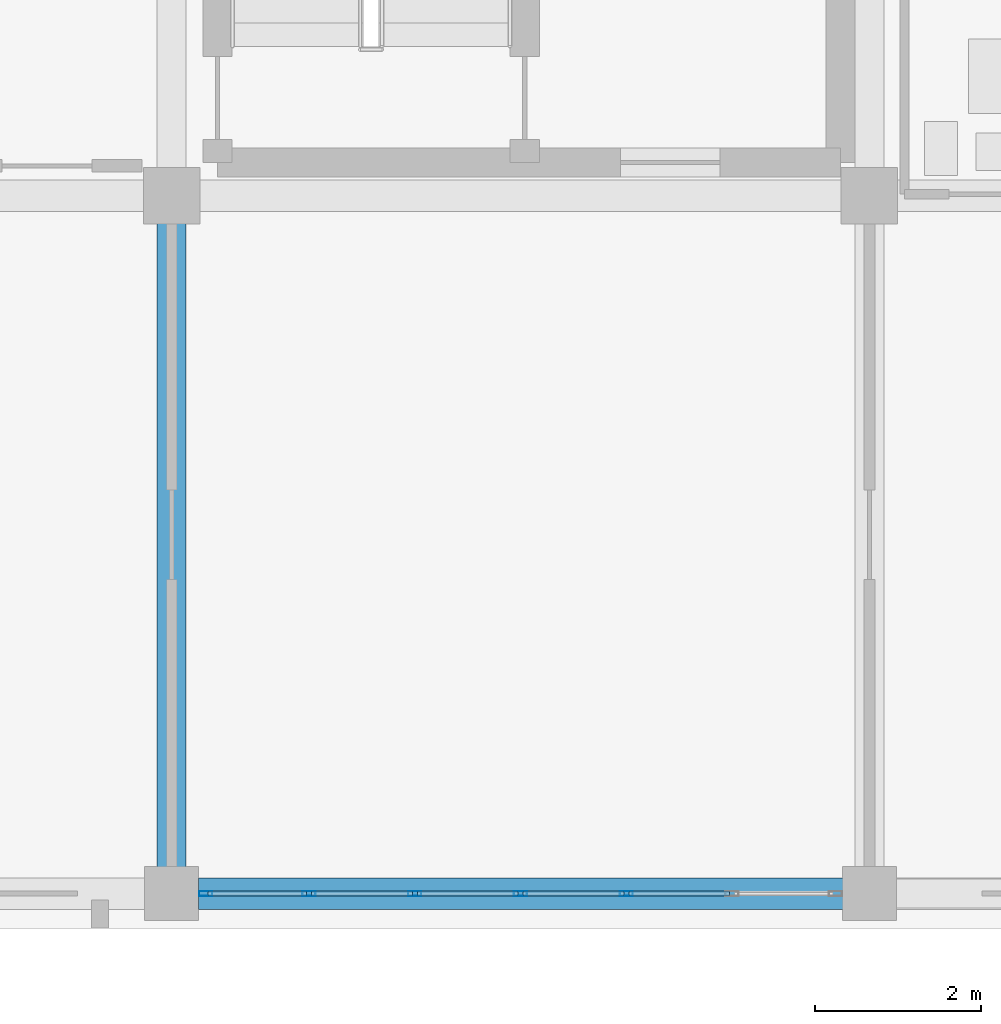
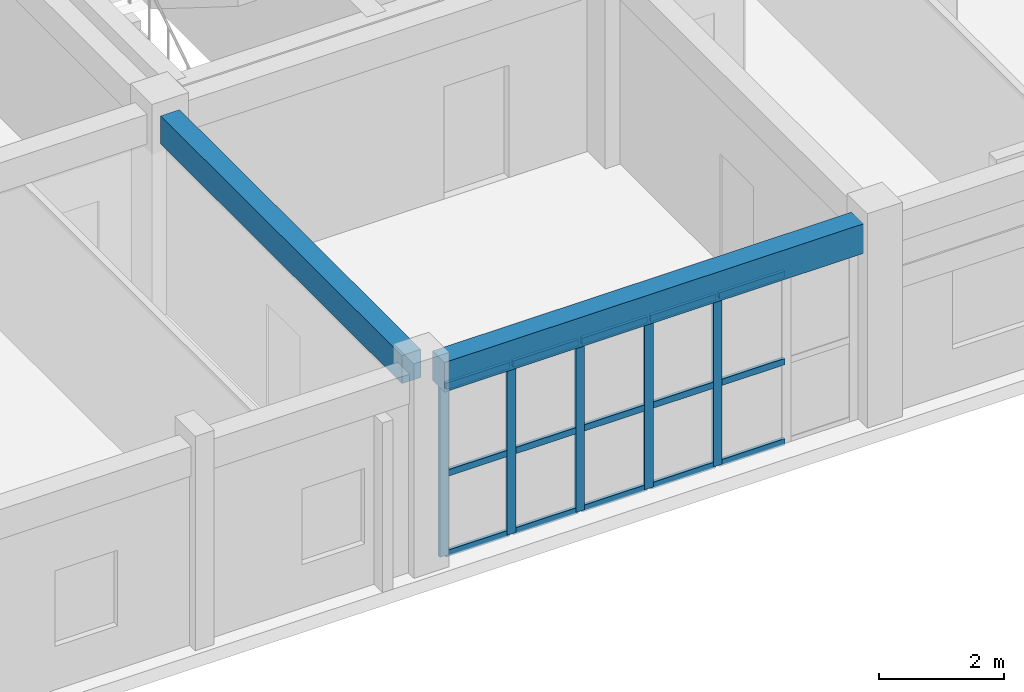
# One storey, part 10 of 90: 20 members, 2 beams, 1 element without a shape of its own.
"""IFC4 building model written with IfcOpenShell, lengths in metres."""

import ifcopenshell
import ifcopenshell.guid

model = None  # the IFC model being written
_history = None  # IfcOwnerHistory: only IFC2X3 demands one
_inside = {}  # id of a spatial element -> (the spatial element, [elements in it])
_under = {}  # id of a project, library or spatial element -> (it, [spatial elements below it])
_declared = {}  # id of a project -> (the project, [libraries it declares])
_typed = {}  # id of a type object -> (the type object, [elements of that type])
_made_of = {}  # id of a material, layer set ... -> (it, [elements and type objects made of it])


def new_model(schema):
    """Start an empty IFC model of exactly this schema.

    Asked for "IFC4X3", IfcOpenShell would pick the latest addendum, in which some entities
    have other attributes; the version numbers below select the first issue.
    IFC2X3 requires an IfcOwnerHistory on every rooted entity: one is made here for all.
    """
    global model, _history
    if schema == "IFC4X3":
        model = ifcopenshell.file(schema_version=(4, 3, 0, 0))
    else:
        model = ifcopenshell.file(schema=schema)
    _inside.clear()
    _under.clear()
    _declared.clear()
    _typed.clear()
    _made_of.clear()
    _history = None
    if model.schema == "IFC2X3":
        org = make("IfcOrganization", Name="unknown")
        user = make(
            "IfcPersonAndOrganization",
            ThePerson=make("IfcPerson", FamilyName="unknown"),
            TheOrganization=org,
        )
        app = make(
            "IfcApplication",
            ApplicationDeveloper=org,
            Version="unknown",
            ApplicationFullName="unknown",
            ApplicationIdentifier="unknown",
        )
        _history = make(
            "IfcOwnerHistory",
            OwningUser=user,
            OwningApplication=app,
            ChangeAction="ADDED",
            CreationDate=0,
        )
    return model


def make(cls, **values):
    """One entity of the class cls with the attributes given. An attribute that is None is left unset."""
    return model.create_entity(
        cls, **{name: value for name, value in values.items() if value is not None}
    )


def rooted(cls, **values):
    """An entity with a GlobalId (a new one), such as an element, a storey or a relation."""
    return make(cls, GlobalId=ifcopenshell.guid.new(), OwnerHistory=_history, **values)


def si_unit(unit_type, name, prefix=None):
    """IfcSIUnit, for example si_unit("LENGTHUNIT", "METRE", prefix="MILLI")."""
    return make("IfcSIUnit", UnitType=unit_type, Prefix=prefix, Name=name)


def assignment(units):
    """IfcUnitAssignment: the units of a project."""
    return None if units is None else make("IfcUnitAssignment", Units=units)


def point(xyz):
    """IfcCartesianPoint."""
    return None if xyz is None else make("IfcCartesianPoint", Coordinates=xyz)


def direction(xyz):
    """IfcDirection."""
    return None if xyz is None else make("IfcDirection", DirectionRatios=xyz)


def frame(location, z_axis=None, x_axis=None):
    """IfcAxis2Placement3D, a coordinate frame: its origin and axes. An axis left out is left unset."""
    return make(
        "IfcAxis2Placement3D",
        Location=point(location),
        Axis=direction(z_axis),
        RefDirection=direction(x_axis),
    )


def frame_2d(location, x_axis=None):
    """IfcAxis2Placement2D, a coordinate frame in the plane: its origin and x axis."""
    return make(
        "IfcAxis2Placement2D", Location=point(location), RefDirection=direction(x_axis)
    )


def origin():
    """The frame at (0, 0, 0) with its axes left unset."""
    return frame((0.0, 0.0, 0.0))


def origin_2d():
    """The frame at (0, 0) in the plane with its x axis left unset."""
    return frame_2d((0.0, 0.0))


def place(relative_to, where):
    """IfcLocalPlacement: puts the frame where relative to a parent placement (None: the world)."""
    return make(
        "IfcLocalPlacement", PlacementRelTo=relative_to, RelativePlacement=where
    )


def context(
    kind, dimensions, precision=None, world=None, true_north=None, identifier=None
):
    """IfcGeometricRepresentationContext, for example the 3D "Model" context."""
    return make(
        "IfcGeometricRepresentationContext",
        ContextIdentifier=identifier,
        ContextType=kind,
        CoordinateSpaceDimension=dimensions,
        Precision=precision,
        WorldCoordinateSystem=world,
        TrueNorth=true_north,
    )


def subcontext(parent, identifier, kind, view, scale=None):
    """IfcGeometricRepresentationSubContext, for example "Body" below "Model"."""
    return make(
        "IfcGeometricRepresentationSubContext",
        ContextIdentifier=identifier,
        ContextType=kind,
        ParentContext=parent,
        TargetScale=scale,
        TargetView=view,
    )


def project(units=None, contexts=None):
    """IfcProject with its units and contexts."""
    return rooted(
        "IfcProject",
        Name="project",
        RepresentationContexts=contexts,
        UnitsInContext=assignment(units),
    )


def spatial(cls, under=None, at=None, **own):
    """A site, building, storey or space (cls), placed at a placement, below another one or the project."""
    s = rooted(cls, ObjectPlacement=at, **own)
    if under is not None:
        _under.setdefault(under.id(), (under, []))[1].append(s)
    return s


def profile(cls, at=None, kind="AREA", **sizes):
    """A parametric profile (cls). Its sizes go by their IFC names, for example OverallWidth=200.0."""
    return make(cls, ProfileType=kind, Position=at, **sizes)


def rectangle(**sizes):
    """IfcRectangleProfileDef."""
    return profile("IfcRectangleProfileDef", **sizes)


def hollow_rectangle(**sizes):
    """IfcRectangleHollowProfileDef."""
    return profile("IfcRectangleHollowProfileDef", **sizes)


def extrude(swept, where, along, depth):
    """IfcExtrudedAreaSolid: the profile swept, set in the frame where, extruded along a direction by depth."""
    return make(
        "IfcExtrudedAreaSolid",
        SweptArea=swept,
        Position=where,
        ExtrudedDirection=direction(along),
        Depth=depth,
    )


def shape(context_of_items, identifier, shape_type, items):
    """IfcShapeRepresentation: the items that make up one representation, for example the "Body"."""
    return make(
        "IfcShapeRepresentation",
        ContextOfItems=context_of_items,
        RepresentationIdentifier=identifier,
        RepresentationType=shape_type,
        Items=items,
    )


def material(Name=None, Category=None):
    """IfcMaterial."""
    return make("IfcMaterial", Name=Name, Category=Category)


def layer(
    of_material, thickness, ventilated=None, Name=None, Category=None, Priority=None
):
    """IfcMaterialLayer: one layer of a wall or slab, of a material (None: an air gap)."""
    return make(
        "IfcMaterialLayer",
        Material=of_material,
        LayerThickness=thickness,
        IsVentilated=ventilated,
        Name=Name,
        Category=Category,
        Priority=Priority,
    )


def layer_set(layers, Name=None):
    """IfcMaterialLayerSet."""
    return make("IfcMaterialLayerSet", MaterialLayers=layers, LayerSetName=Name)


def material_profile(
    of_material, cross_section, Name=None, Category=None, Priority=None
):
    """IfcMaterialProfile: a cross section and its material."""
    return make(
        "IfcMaterialProfile",
        Name=Name,
        Material=of_material,
        Profile=cross_section,
        Priority=Priority,
        Category=Category,
    )


def profile_set(profiles, Name=None, composite=None):
    """IfcMaterialProfileSet."""
    return make(
        "IfcMaterialProfileSet",
        Name=Name,
        MaterialProfiles=profiles,
        CompositeProfile=composite,
    )


def made_of(thing, what):
    """Note that an element or type object is made of a material, layer set ...; save() writes the relation."""
    if what is not None:
        _made_of.setdefault(what.id(), (what, []))[1].append(thing)
    return thing


def type_object(cls, material=None, **own):
    """A type object (cls), such as IfcWallType, which elements share."""
    return made_of(rooted(cls, **own), material)


def element(
    cls,
    number,
    at=None,
    inside=None,
    cuts=None,
    type_object=None,
    material=None,
    context=None,
    identifier="Body",
    shape_type=None,
    held_by="IfcProductDefinitionShape",
    body=None,
    shapes=None,
    **own,
):
    """One element of the class cls, such as IfcWall. Its Tag is "e" and its number.

    at: its placement. inside: the storey or other place that contains it. cuts: it is an
    opening in that element (IfcRelVoidsElement). A single representation is given by context,
    identifier, shape_type and body (its items); several are given by shapes. held_by: the class
    of the entity that holds the representations. save() writes the other relations.
    """
    e = rooted(cls, Tag="e%d" % number, ObjectPlacement=at, **own)
    if body is not None:
        shapes = [shape(context, identifier, shape_type, body)]
    if shapes is not None:
        e.Representation = make(held_by, Representations=shapes)
    if inside is not None:
        _inside.setdefault(inside.id(), (inside, []))[1].append(e)
    if cuts is not None:
        rooted(
            "IfcRelVoidsElement", RelatingBuildingElement=cuts, RelatedOpeningElement=e
        )
    if type_object is not None:
        _typed.setdefault(type_object.id(), (type_object, []))[1].append(e)
    return made_of(e, material)


def aggregate(whole, parts):
    """IfcRelAggregates: a whole, such as a stair, and the parts it consists of."""
    return rooted("IfcRelAggregates", RelatingObject=whole, RelatedObjects=parts)


def save(model, path):
    """Write the relations noted so far, then the file.

    IfcRelAggregates (storeys below a building ...), IfcRelContainedInSpatialStructure (elements
    in a storey), IfcRelDefinesByType, IfcRelAssociatesMaterial and IfcRelDeclares: one each for
    every whole, place, type object, material and project.
    """
    for whole, parts in _under.values():
        aggregate(whole, parts)
    for where, things in _inside.values():
        rooted(
            "IfcRelContainedInSpatialStructure",
            RelatedElements=things,
            RelatingStructure=where,
        )
    for kind, things in _typed.values():
        rooted("IfcRelDefinesByType", RelatedObjects=things, RelatingType=kind)
    for what, things in _made_of.values():
        rooted("IfcRelAssociatesMaterial", RelatedObjects=things, RelatingMaterial=what)
    for by, libraries in _declared.values():
        rooted("IfcRelDeclares", RelatingContext=by, RelatedDefinitions=libraries)
    model.write(path)


model = new_model("IFC4")

# Units and contexts
model_context = context("Model", 3, precision=1e-05, world=origin(), true_north=direction((0.0, 1.0)))
body_context = subcontext(model_context, "Body", "Model", "MODEL_VIEW")
ifc_project = project(units=[si_unit("LENGTHUNIT", "METRE"), si_unit("AREAUNIT", "SQUARE_METRE"), si_unit("VOLUMEUNIT", "CUBIC_METRE"), si_unit("PLANEANGLEUNIT", "RADIAN"), si_unit("MASSUNIT", "GRAM", prefix="KILO")], contexts=[model_context])

# Site, building, storey
site_placement = place(None, origin())
site = spatial("IfcSite", under=ifc_project, at=site_placement, CompositionType="ELEMENT")
building_placement = place(site_placement, origin())
building = spatial("IfcBuilding", under=site, at=building_placement, Name="Trelvath General Hospital", CompositionType="ELEMENT")
storey_placement = place(building_placement, frame((0.0, 0.0, 20.39990234375)))
storey = spatial("IfcBuildingStorey", under=building, at=storey_placement, Name="L05", CompositionType="ELEMENT", Elevation=20.39990234375)

# Beams
ifc_material_1 = material(Name="Concrete C35/45", Category="concrete")
ifc_material_profile_1 = material_profile(ifc_material_1, rectangle(XDim=0.35009765625, YDim=0.550048828125, at=origin_2d()), Name="RCB350x550")
ifc_profile_set_1 = profile_set([ifc_material_profile_1], Name="Concrete C35/45")
beam_type_1 = type_object("IfcBeamType", Name="Beam RC350x550", PredefinedType="BEAM", material=ifc_profile_set_1)
beam_1_placement = place(storey_placement, frame((42.0, 0.320068359375, 3.64501953125), z_axis=(0.0, 1.0, 0.0), x_axis=(-1.0, 0.0, 0.0)))
element("IfcBeam", 1, at=beam_1_placement, inside=storey, type_object=beam_type_1, Name="Grid Beam BY-505A", PredefinedType="BEAM", context=body_context, shape_type="SweptSolid", body=[
    extrude(rectangle(XDim=0.35009765625, YDim=0.550048828125, at=origin_2d()), origin(), (0.0, 0.0, 1.0), 7.744873046875),
])
ifc_material_2 = material(Name="Concrete C35/45", Category="concrete")
ifc_material_profile_2 = material_profile(ifc_material_2, rectangle(XDim=0.3798828125, YDim=0.580078125, at=origin_2d()), Name="RCB380x580")
ifc_profile_set_2 = profile_set([ifc_material_profile_2], Name="Concrete C35/45")
beam_type_2 = type_object("IfcBeamType", Name="Beam RC380x580", PredefinedType="BEAM", material=ifc_profile_set_2)
beam_2_placement = place(storey_placement, frame((42.320068359375, 0.0, 3.630126953125), z_axis=(1.0, 0.0, 0.0), x_axis=(0.0, 1.0, 0.0)))
element("IfcBeam", 2, at=beam_2_placement, inside=storey, type_object=beam_type_2, Name="Grid Beam BX-505A", PredefinedType="BEAM", context=body_context, shape_type="SweptSolid", body=[
    extrude(rectangle(XDim=0.3798828125, YDim=0.580078125, at=origin_2d()), origin(), (0.0, 0.0, 1.0), 7.760009765625),
])

# Curtain wall, members
ifc_material_3 = material(Name="Anodised aluminium and low-E glass", Category="aluminium")
ifc_layer = layer(ifc_material_3, 0.14990234375)
ifc_layer_set = layer_set([ifc_layer], Name="Anodised aluminium and low-E glass")
curtain_wall_type = type_object("IfcCurtainWallType", Name="CW Facade 764 334 15", PredefinedType="USERDEFINED", material=ifc_layer_set)
curtain_wall_placement = place(storey_placement, origin())
curtain_wall = element("IfcCurtainWall", 3, at=curtain_wall_placement, inside=storey, type_object=curtain_wall_type, Name="Facade Curtain Wall CW-068", ObjectType="Unitised Glazed Curtain Wall", PredefinedType="USERDEFINED")
ifc_material_4 = material(Name="Anodised aluminium", Category="aluminium")
ifc_material_profile_3 = material_profile(ifc_material_4, hollow_rectangle(XDim=0.06005859375, YDim=0.159912109375, WallThickness=0.00390625, at=origin_2d()), Name="RHS60x160x4")
ifc_profile_set_3 = profile_set([ifc_material_profile_3], Name="Anodised aluminium")
member_type_1 = type_object("IfcMemberType", Name="CurtainMullion 60x160", PredefinedType="MULLION", material=ifc_profile_set_3)
member_1_placement = place(storey_placement, frame((47.473388671875, 0.0, 0.0), z_axis=(0.0, 0.0, 1.0), x_axis=(0.0, -1.0, 0.0)))
member_1 = element("IfcMember", 4, at=member_1_placement, type_object=member_type_1, Name="CW-068 mullion 3", PredefinedType="MULLION", context=body_context, shape_type="SweptSolid", body=[
    extrude(hollow_rectangle(XDim=0.06005859375, YDim=0.159912109375, WallThickness=0.00390625, at=origin_2d()), origin(), (0.0, 0.0, 1.0), 3.340087890625),
])
member_2_placement = place(storey_placement, frame((46.199951171875, 0.0, 0.0), z_axis=(0.0, 0.0, 1.0), x_axis=(0.0, -1.0, 0.0)))
member_2 = element("IfcMember", 5, at=member_2_placement, type_object=member_type_1, Name="CW-068 mullion 4", PredefinedType="MULLION", context=body_context, shape_type="SweptSolid", body=[
    extrude(hollow_rectangle(XDim=0.06005859375, YDim=0.159912109375, WallThickness=0.00390625, at=origin_2d()), origin(), (0.0, 0.0, 1.0), 3.340087890625),
])
member_3_placement = place(storey_placement, frame((44.9267578125, 0.0, 0.0), z_axis=(0.0, 0.0, 1.0), x_axis=(0.0, -1.0, 0.0)))
member_3 = element("IfcMember", 6, at=member_3_placement, type_object=member_type_1, Name="CW-068 mullion 5", PredefinedType="MULLION", context=body_context, shape_type="SweptSolid", body=[
    extrude(hollow_rectangle(XDim=0.06005859375, YDim=0.159912109375, WallThickness=0.00390625, at=origin_2d()), origin(), (0.0, 0.0, 1.0), 3.340087890625),
])
member_4_placement = place(storey_placement, frame((43.6533203125, 0.0, 0.0), z_axis=(0.0, 0.0, 1.0), x_axis=(0.0, -1.0, 0.0)))
member_4 = element("IfcMember", 7, at=member_4_placement, type_object=member_type_1, Name="CW-068 mullion 6", PredefinedType="MULLION", context=body_context, shape_type="SweptSolid", body=[
    extrude(hollow_rectangle(XDim=0.06005859375, YDim=0.159912109375, WallThickness=0.00390625, at=origin_2d()), origin(), (0.0, 0.0, 1.0), 3.340087890625),
])
member_5_placement = place(storey_placement, frame((42.409912109375, 0.0, 0.0), z_axis=(0.0, 0.0, 1.0), x_axis=(0.0, -1.0, 0.0)))
member_5 = element("IfcMember", 8, at=member_5_placement, type_object=member_type_1, Name="CW-068 mullion 7", PredefinedType="MULLION", context=body_context, shape_type="SweptSolid", body=[
    extrude(hollow_rectangle(XDim=0.06005859375, YDim=0.159912109375, WallThickness=0.00390625, at=origin_2d()), origin(), (0.0, 0.0, 1.0), 3.340087890625),
])
ifc_material_5 = material(Name="Anodised aluminium", Category="aluminium")
ifc_material_profile_4 = material_profile(ifc_material_5, hollow_rectangle(XDim=0.06005859375, YDim=0.125, WallThickness=0.00390625, at=origin_2d()), Name="RHS60x125x4")
ifc_profile_set_4 = profile_set([ifc_material_profile_4], Name="Anodised aluminium")
member_type_2 = type_object("IfcMemberType", Name="CurtainTransom 60x125", PredefinedType="USERDEFINED", material=ifc_profile_set_4)
member_6_placement = place(storey_placement, frame((48.716552734375, 0.0, 0.030029296875), z_axis=(-1.0, 0.0, 0.0), x_axis=(0.0, -1.0, 0.0)))
member_6 = element("IfcMember", 9, at=member_6_placement, type_object=member_type_2, Name="CW-068 transom 2.1", ObjectType="TRANSOM", PredefinedType="USERDEFINED", context=body_context, shape_type="SweptSolid", body=[
    extrude(hollow_rectangle(XDim=0.06005859375, YDim=0.125, WallThickness=0.00390625, at=origin_2d()), origin(), (0.0, 0.0, 1.0), 1.213134765625),
])
member_7_placement = place(storey_placement, frame((48.716552734375, 0.0, 1.60302734375), z_axis=(-1.0, 0.0, 0.0), x_axis=(0.0, -1.0, 0.0)))
member_7 = element("IfcMember", 10, at=member_7_placement, type_object=member_type_2, Name="CW-068 transom 2.2", ObjectType="TRANSOM", PredefinedType="USERDEFINED", context=body_context, shape_type="SweptSolid", body=[
    extrude(hollow_rectangle(XDim=0.06005859375, YDim=0.125, WallThickness=0.00390625, at=origin_2d()), origin(), (0.0, 0.0, 1.0), 1.213134765625),
])
member_8_placement = place(storey_placement, frame((48.716552734375, 0.0, 3.31005859375), z_axis=(-1.0, 0.0, 0.0), x_axis=(0.0, -1.0, 0.0)))
member_8 = element("IfcMember", 11, at=member_8_placement, type_object=member_type_2, Name="CW-068 transom 2.3", ObjectType="TRANSOM", PredefinedType="USERDEFINED", context=body_context, shape_type="SweptSolid", body=[
    extrude(hollow_rectangle(XDim=0.06005859375, YDim=0.125, WallThickness=0.00390625, at=origin_2d()), origin(), (0.0, 0.0, 1.0), 1.213134765625),
])
member_9_placement = place(storey_placement, frame((47.443359375, 0.0, 0.030029296875), z_axis=(-1.0, 0.0, 0.0), x_axis=(0.0, -1.0, 0.0)))
member_9 = element("IfcMember", 12, at=member_9_placement, type_object=member_type_2, Name="CW-068 transom 3.1", ObjectType="TRANSOM", PredefinedType="USERDEFINED", context=body_context, shape_type="SweptSolid", body=[
    extrude(hollow_rectangle(XDim=0.06005859375, YDim=0.125, WallThickness=0.00390625, at=origin_2d()), origin(), (0.0, 0.0, 1.0), 1.21337890625),
])
member_10_placement = place(storey_placement, frame((47.443359375, 0.0, 1.60302734375), z_axis=(-1.0, 0.0, 0.0), x_axis=(0.0, -1.0, 0.0)))
member_10 = element("IfcMember", 13, at=member_10_placement, type_object=member_type_2, Name="CW-068 transom 3.2", ObjectType="TRANSOM", PredefinedType="USERDEFINED", context=body_context, shape_type="SweptSolid", body=[
    extrude(hollow_rectangle(XDim=0.06005859375, YDim=0.125, WallThickness=0.00390625, at=origin_2d()), origin(), (0.0, 0.0, 1.0), 1.21337890625),
])
member_11_placement = place(storey_placement, frame((47.443359375, 0.0, 3.31005859375), z_axis=(-1.0, 0.0, 0.0), x_axis=(0.0, -1.0, 0.0)))
member_11 = element("IfcMember", 14, at=member_11_placement, type_object=member_type_2, Name="CW-068 transom 3.3", ObjectType="TRANSOM", PredefinedType="USERDEFINED", context=body_context, shape_type="SweptSolid", body=[
    extrude(hollow_rectangle(XDim=0.06005859375, YDim=0.125, WallThickness=0.00390625, at=origin_2d()), origin(), (0.0, 0.0, 1.0), 1.21337890625),
])
member_12_placement = place(storey_placement, frame((46.169921875, 0.0, 0.030029296875), z_axis=(-1.0, 0.0, 0.0), x_axis=(0.0, -1.0, 0.0)))
member_12 = element("IfcMember", 15, at=member_12_placement, type_object=member_type_2, Name="CW-068 transom 4.1", ObjectType="TRANSOM", PredefinedType="USERDEFINED", context=body_context, shape_type="SweptSolid", body=[
    extrude(hollow_rectangle(XDim=0.06005859375, YDim=0.125, WallThickness=0.00390625, at=origin_2d()), origin(), (0.0, 0.0, 1.0), 1.213134765625),
])
member_13_placement = place(storey_placement, frame((46.169921875, 0.0, 1.60302734375), z_axis=(-1.0, 0.0, 0.0), x_axis=(0.0, -1.0, 0.0)))
member_13 = element("IfcMember", 16, at=member_13_placement, type_object=member_type_2, Name="CW-068 transom 4.2", ObjectType="TRANSOM", PredefinedType="USERDEFINED", context=body_context, shape_type="SweptSolid", body=[
    extrude(hollow_rectangle(XDim=0.06005859375, YDim=0.125, WallThickness=0.00390625, at=origin_2d()), origin(), (0.0, 0.0, 1.0), 1.213134765625),
])
member_14_placement = place(storey_placement, frame((46.169921875, 0.0, 3.31005859375), z_axis=(-1.0, 0.0, 0.0), x_axis=(0.0, -1.0, 0.0)))
member_14 = element("IfcMember", 17, at=member_14_placement, type_object=member_type_2, Name="CW-068 transom 4.3", ObjectType="TRANSOM", PredefinedType="USERDEFINED", context=body_context, shape_type="SweptSolid", body=[
    extrude(hollow_rectangle(XDim=0.06005859375, YDim=0.125, WallThickness=0.00390625, at=origin_2d()), origin(), (0.0, 0.0, 1.0), 1.213134765625),
])
member_15_placement = place(storey_placement, frame((44.896728515625, 0.0, 0.030029296875), z_axis=(-1.0, 0.0, 0.0), x_axis=(0.0, -1.0, 0.0)))
member_15 = element("IfcMember", 18, at=member_15_placement, type_object=member_type_2, Name="CW-068 transom 5.1", ObjectType="TRANSOM", PredefinedType="USERDEFINED", context=body_context, shape_type="SweptSolid", body=[
    extrude(hollow_rectangle(XDim=0.06005859375, YDim=0.125, WallThickness=0.00390625, at=origin_2d()), origin(), (0.0, 0.0, 1.0), 1.21337890625),
])
member_16_placement = place(storey_placement, frame((44.896728515625, 0.0, 1.60302734375), z_axis=(-1.0, 0.0, 0.0), x_axis=(0.0, -1.0, 0.0)))
member_16 = element("IfcMember", 19, at=member_16_placement, type_object=member_type_2, Name="CW-068 transom 5.2", ObjectType="TRANSOM", PredefinedType="USERDEFINED", context=body_context, shape_type="SweptSolid", body=[
    extrude(hollow_rectangle(XDim=0.06005859375, YDim=0.125, WallThickness=0.00390625, at=origin_2d()), origin(), (0.0, 0.0, 1.0), 1.21337890625),
])
member_17_placement = place(storey_placement, frame((44.896728515625, 0.0, 3.31005859375), z_axis=(-1.0, 0.0, 0.0), x_axis=(0.0, -1.0, 0.0)))
member_17 = element("IfcMember", 20, at=member_17_placement, type_object=member_type_2, Name="CW-068 transom 5.3", ObjectType="TRANSOM", PredefinedType="USERDEFINED", context=body_context, shape_type="SweptSolid", body=[
    extrude(hollow_rectangle(XDim=0.06005859375, YDim=0.125, WallThickness=0.00390625, at=origin_2d()), origin(), (0.0, 0.0, 1.0), 1.21337890625),
])
member_18_placement = place(storey_placement, frame((43.623291015625, 0.0, 0.030029296875), z_axis=(-1.0, 0.0, 0.0), x_axis=(0.0, -1.0, 0.0)))
member_18 = element("IfcMember", 21, at=member_18_placement, type_object=member_type_2, Name="CW-068 transom 6.1", ObjectType="TRANSOM", PredefinedType="USERDEFINED", context=body_context, shape_type="SweptSolid", body=[
    extrude(hollow_rectangle(XDim=0.06005859375, YDim=0.125, WallThickness=0.00390625, at=origin_2d()), origin(), (0.0, 0.0, 1.0), 1.183349609375),
])
member_19_placement = place(storey_placement, frame((43.623291015625, 0.0, 1.60302734375), z_axis=(-1.0, 0.0, 0.0), x_axis=(0.0, -1.0, 0.0)))
member_19 = element("IfcMember", 22, at=member_19_placement, type_object=member_type_2, Name="CW-068 transom 6.2", ObjectType="TRANSOM", PredefinedType="USERDEFINED", context=body_context, shape_type="SweptSolid", body=[
    extrude(hollow_rectangle(XDim=0.06005859375, YDim=0.125, WallThickness=0.00390625, at=origin_2d()), origin(), (0.0, 0.0, 1.0), 1.183349609375),
])
member_20_placement = place(storey_placement, frame((43.623291015625, 0.0, 3.31005859375), z_axis=(-1.0, 0.0, 0.0), x_axis=(0.0, -1.0, 0.0)))
member_20 = element("IfcMember", 23, at=member_20_placement, type_object=member_type_2, Name="CW-068 transom 6.3", ObjectType="TRANSOM", PredefinedType="USERDEFINED", context=body_context, shape_type="SweptSolid", body=[
    extrude(hollow_rectangle(XDim=0.06005859375, YDim=0.125, WallThickness=0.00390625, at=origin_2d()), origin(), (0.0, 0.0, 1.0), 1.183349609375),
])
aggregate(curtain_wall, [member_1, member_2, member_3, member_4, member_5, member_6, member_7, member_8, member_9, member_10, member_11, member_12, member_13, member_14, member_15, member_16, member_17, member_18, member_19, member_20])

save(model, "model.ifc")
